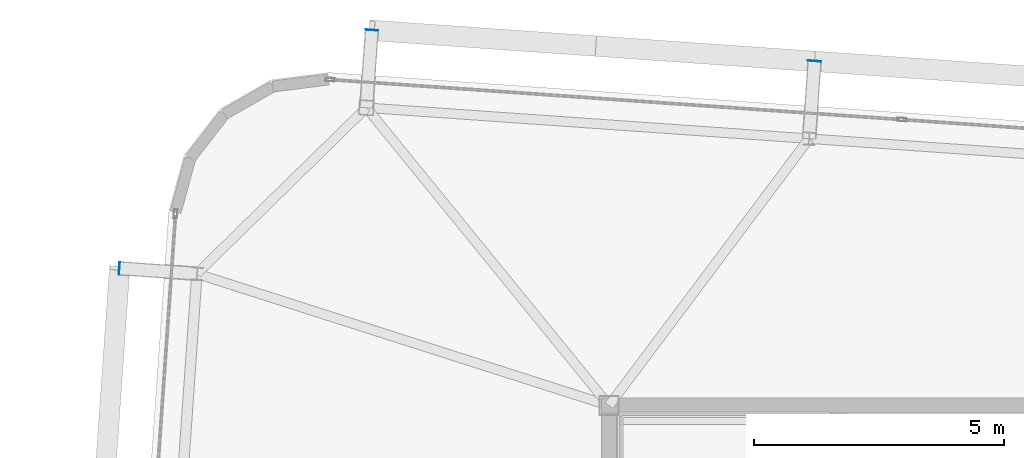
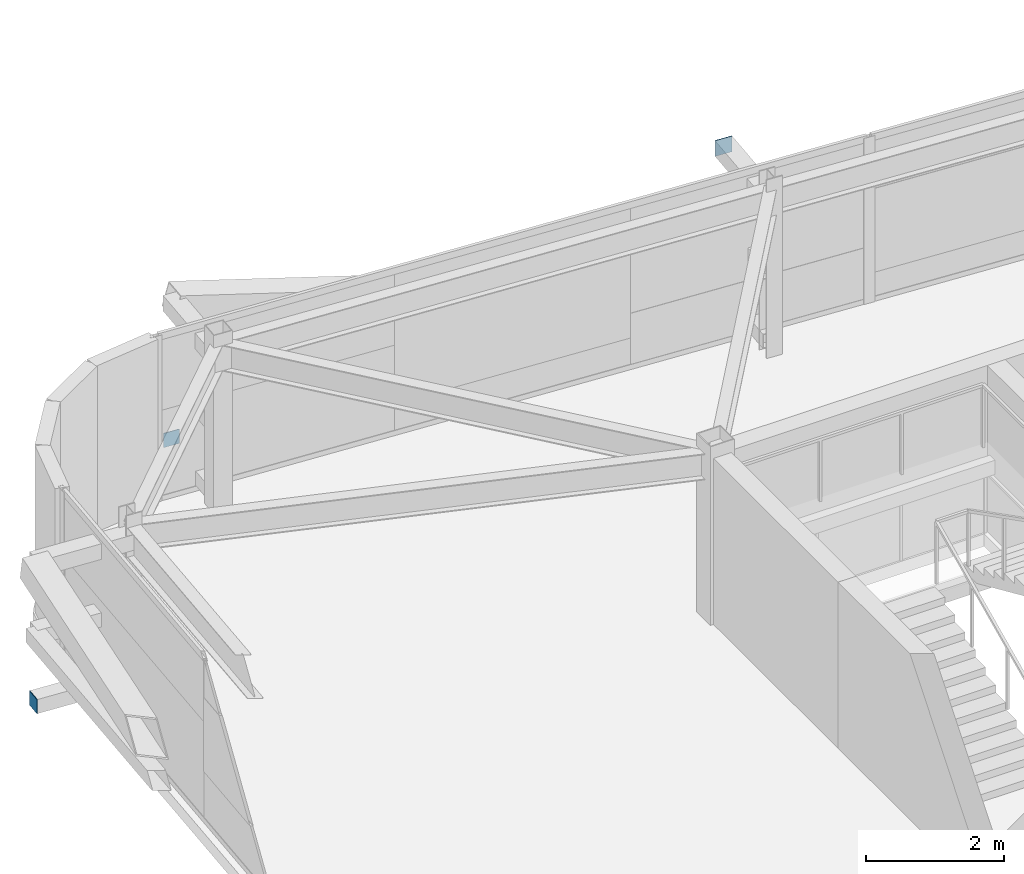
# One storey, part 32 of 39: 3 plates.
"""IFC4 building model written with IfcOpenShell, lengths in metres."""

from ifc_helpers import new_model, si_unit, direction, frame, origin, origin_2d, place, context, subcontext, project, spatial, rectangle, extrude, source, transform, mapped, material, layer, layer_set, type_object, element, save


model = new_model("IFC4")

# Units and contexts
model_context = context("Model", 3, precision=1e-05, world=origin(), true_north=direction((0.0, 1.0)))
body_context = subcontext(model_context, "Body", "Model", "MODEL_VIEW")
ifc_project = project(units=[si_unit("LENGTHUNIT", "METRE"), si_unit("AREAUNIT", "SQUARE_METRE"), si_unit("VOLUMEUNIT", "CUBIC_METRE"), si_unit("PLANEANGLEUNIT", "RADIAN"), si_unit("MASSUNIT", "GRAM", prefix="KILO")], contexts=[model_context])

# Site, building, storey
site_placement = place(None, origin())
site = spatial("IfcSite", under=ifc_project, at=site_placement, CompositionType="ELEMENT")
building_placement = place(site_placement, origin())
building = spatial("IfcBuilding", under=site, at=building_placement, Name="Taldren Reach Tower", CompositionType="ELEMENT")
storey_placement = place(building_placement, frame((0.0, 0.0, 136.14990234375)))
storey = spatial("IfcBuildingStorey", under=building, at=storey_placement, Name="L41", CompositionType="ELEMENT", Elevation=136.14990234375)

# Plates
ifc_material_1 = material(Name="Steel Gr 450 (C450L0)", Category="steel")
ifc_layer_1 = layer(ifc_material_1, 0.011962890625)
ifc_layer_set_1 = layer_set([ifc_layer_1], Name="Steel Gr 450 (C450L0)")
plate_type_1 = type_object("IfcPlateType", Name="PL-CAP-275", PredefinedType="SHEET", material=ifc_layer_set_1)
shared_shape_1 = source(origin(), body_context, "Body", "SweptSolid", [
    extrude(rectangle(XDim=0.27490234375, YDim=0.011962890625, at=origin_2d()), origin(), (0.0, 0.0, 1.0), 0.27490234375),
])
plate_1_placement = place(storey_placement, frame((23.111572265625, 38.8916015625, 2.5126953125), z_axis=(0.0, 0.0, 1.0), x_axis=(0.99756405026, -0.069756473744, 0.0)))
element("IfcPlate", 1, at=plate_1_placement, inside=storey, type_object=plate_type_1, Name="Tie strut end cap plate B3-N2 L41", PredefinedType="SHEET", context=body_context, shape_type="MappedRepresentation", body=[
    mapped(shared_shape_1, transform((0.0, 0.0, 0.0), scale=1.0)),
])
ifc_material_2 = material(Name="Steel Gr 350 (C350L0)", Category="steel")
ifc_layer_2 = layer(ifc_material_2, 0.011962890625)
ifc_layer_set_2 = layer_set([ifc_layer_2], Name="Steel Gr 350 (C350L0)")
plate_type_2 = type_object("IfcPlateType", Name="PL-CAP-250", PredefinedType="SHEET", material=ifc_layer_set_2)
shared_shape_2 = source(origin(), body_context, "Body", "SweptSolid", [
    extrude(rectangle(XDim=0.25, YDim=0.011962890625, at=origin_2d()), origin(), (0.0, 0.0, 1.0), 0.25),
])
plate_2_placement = place(storey_placement, frame((14.253173828125, 39.510986328125, 0.09521484375), z_axis=(0.0, 0.0, 1.0), x_axis=(0.99756405026, -0.069756473744, 0.0)))
element("IfcPlate", 2, at=plate_2_placement, inside=storey, type_object=plate_type_2, Name="Tie strut end cap plate B3-N1 L41", PredefinedType="SHEET", context=body_context, shape_type="MappedRepresentation", body=[
    mapped(shared_shape_2, transform((0.0, 0.0, 0.0), scale=1.0)),
])
shared_shape_3 = source(origin(), body_context, "Body", "SweptSolid", [
    extrude(rectangle(XDim=0.011962890625, YDim=0.25, at=origin_2d()), origin(), (0.0, 0.0, 1.0), 0.25),
])
plate_3_placement = place(storey_placement, frame((9.202392578125, 34.74560546875, 0.09521484375), z_axis=(0.0, 0.0, 1.0), x_axis=(0.99756405026, -0.069756473744, 0.0)))
element("IfcPlate", 3, at=plate_3_placement, inside=storey, type_object=plate_type_2, Name="Tie strut end cap plate B3-W3 L41", PredefinedType="SHEET", context=body_context, shape_type="MappedRepresentation", body=[
    mapped(shared_shape_3, transform((0.0, 0.0, 0.0), scale=1.0)),
])

save(model, "model.ifc")
